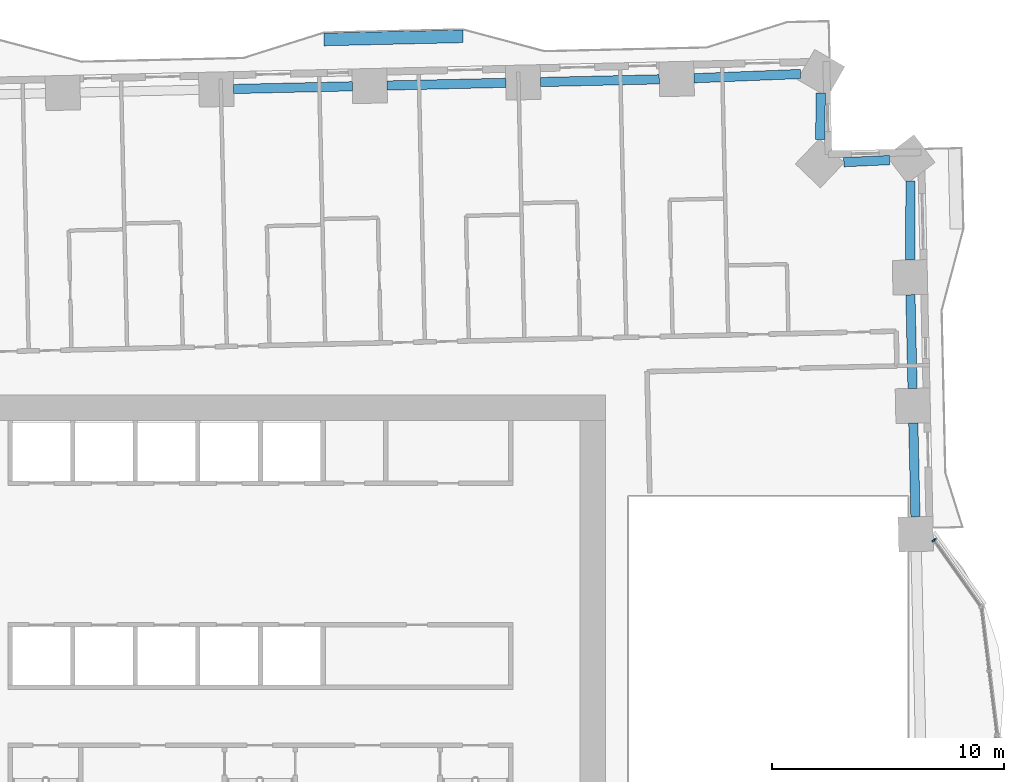
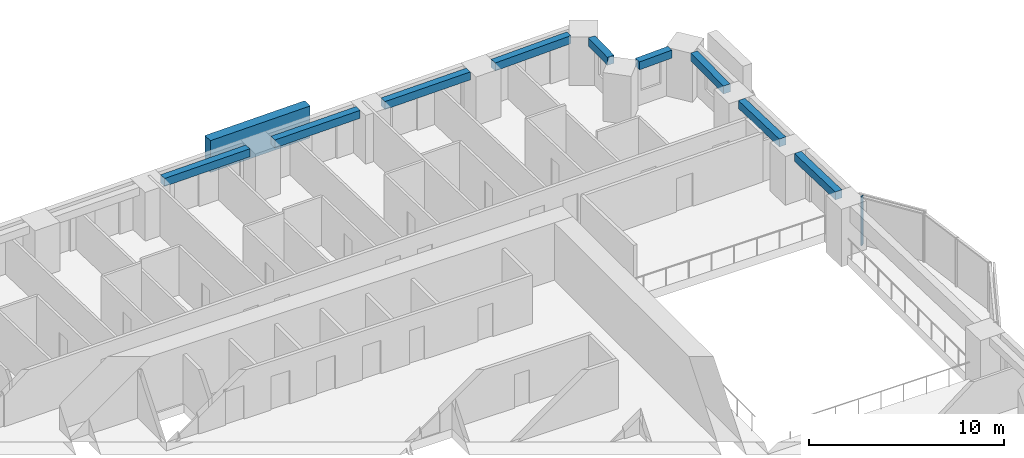
# One storey, part 2 of 16: 9 beams, 2 members, 1 element without a shape of its own.
"""IFC4 building model written with IfcOpenShell, lengths in metres."""

from ifc_helpers import new_model, si_unit, direction, frame, origin, origin_2d, place, context, subcontext, project, spatial, rectangle, extrude, material, material_profile, profile_set, type_object, element, aggregate, save


model = new_model("IFC4")

# Units and contexts
model_context = context("Model", 3, precision=1e-05, world=origin(), true_north=direction((0.0, 1.0)))
body_context = subcontext(model_context, "Body", "Model", "MODEL_VIEW")
ifc_project = project(units=[si_unit("LENGTHUNIT", "METRE"), si_unit("AREAUNIT", "SQUARE_METRE"), si_unit("VOLUMEUNIT", "CUBIC_METRE"), si_unit("PLANEANGLEUNIT", "RADIAN"), si_unit("MASSUNIT", "GRAM", prefix="KILO")], contexts=[model_context])

# Site, building, storey
site_placement = place(None, origin())
site = spatial("IfcSite", under=ifc_project, at=site_placement, CompositionType="ELEMENT")
building_placement = place(site_placement, origin())
building = spatial("IfcBuilding", under=site, at=building_placement, Name="Mangrove Gate Tower", CompositionType="ELEMENT")
storey_placement = place(building_placement, frame((0.0, 0.0, 44.89990234375)))
storey = spatial("IfcBuildingStorey", under=building, at=storey_placement, Name="L10", CompositionType="ELEMENT", Elevation=44.89990234375)

# Curtain wall, member
ifc_material_1 = material(Name="Aluminium and glass curtain wall", Category="aluminium")
curtain_wall_type = type_object("IfcCurtainWallType", Name="Atrium garden-court glazing wall", PredefinedType="NOTDEFINED", material=ifc_material_1)
curtain_wall_placement = place(storey_placement, origin())
curtain_wall = element("IfcCurtainWall", 1, at=curtain_wall_placement, inside=storey, type_object=curtain_wall_type, Name="Atrium garden-court glazing E1f3", PredefinedType="NOTDEFINED")
ifc_material_2 = material(Name="Aluminium alloy 6063-T6", Category="aluminium")
ifc_material_profile_1 = material_profile(ifc_material_2, rectangle(XDim=0.070068359375, YDim=0.199951171875, at=origin_2d()))
ifc_profile_set_1 = profile_set([ifc_material_profile_1], Name="Aluminium alloy 6063-T6")
member_type_1 = type_object("IfcMemberType", Name="Atrium garden-court glazing mullion 70x200", PredefinedType="MULLION", material=ifc_profile_set_1)
member_1_placement = place(storey_placement, frame((29.07177734375, 5.64892578125, 0.0), z_axis=(0.0, 0.0, 1.0), x_axis=(-0.578122631637, 0.815949889877, 0.0)))
member_1 = element("IfcMember", 2, at=member_1_placement, type_object=member_type_1, Name="CWA mullion 2", PredefinedType="MULLION", context=body_context, shape_type="SweptSolid", body=[
    extrude(rectangle(XDim=0.070068359375, YDim=0.199951171875, at=origin_2d()), origin(), (0.0, 0.0, 1.0), 3.050048828125),
])
aggregate(curtain_wall, [member_1])

# Member
ifc_material_3 = material(Name="Planting on aluminium trellis", Category="aluminium")
ifc_material_profile_2 = material_profile(ifc_material_3, rectangle(XDim=0.550048828125, YDim=2.0, at=origin_2d()))
ifc_profile_set_2 = profile_set([ifc_material_profile_2], Name="Planting on aluminium trellis")
member_type_2 = type_object("IfcMemberType", Name="Balcony greenery screen 550x2000", PredefinedType="USERDEFINED", material=ifc_profile_set_2)
member_2_placement = place(storey_placement, frame((2.74609375, 27.256103515625, 1.800048828125), z_axis=(0.999743073592, 0.022666865795, 0.0), x_axis=(-0.022666865795, 0.999743073592, 0.0)))
element("IfcMember", 3, at=member_2_placement, inside=storey, type_object=member_type_2, Name="GREEN SCREEN L10 N0.1", ObjectType="PLANTING", PredefinedType="USERDEFINED", context=body_context, shape_type="SweptSolid", body=[
    extrude(rectangle(XDim=0.550048828125, YDim=2.0, at=origin_2d()), origin(), (0.0, 0.0, 1.0), 5.999267578125),
])

# Beams
ifc_material_4 = material(Name="Concrete C50/60", Category="concrete")
ifc_material_profile_3 = material_profile(ifc_material_4, rectangle(XDim=0.39990234375, YDim=0.5, at=origin_2d()))
ifc_profile_set_3 = profile_set([ifc_material_profile_3], Name="Concrete C50/60")
beam_type = type_object("IfcBeamType", Name="Edge beam RC 400x500 C50/60", PredefinedType="BEAM", material=ifc_profile_set_3)
beam_1_placement = place(storey_placement, frame((28.26904296875, 6.65478515625, 2.800048828125), z_axis=(-0.022713172236, 0.999742022627, 0.0), x_axis=(-0.999742022627, -0.022713172236, 0.0)))
element("IfcBeam", 4, at=beam_1_placement, inside=storey, type_object=beam_type, Name="Edge beam L10 18", PredefinedType="BEAM", context=body_context, shape_type="SweptSolid", body=[
    extrude(rectangle(XDim=0.39990234375, YDim=0.5, at=origin_2d()), origin(), (0.0, 0.0, 1.0), 4.04150390625),
])
beam_2_placement = place(storey_placement, frame((28.143310546875, 12.19482421875, 2.800048828125), z_axis=(-0.022586963022, 0.999744882008, 0.0), x_axis=(-0.999744882008, -0.022586963022, 0.0)))
element("IfcBeam", 5, at=beam_2_placement, inside=storey, type_object=beam_type, Name="Edge beam L10 19", PredefinedType="BEAM", context=body_context, shape_type="SweptSolid", body=[
    extrude(rectangle(XDim=0.39990234375, YDim=0.5, at=origin_2d()), origin(), (0.0, 0.0, 1.0), 4.04248046875),
])
beam_3_placement = place(storey_placement, frame((28.0390625, 17.736328125, 2.800048828125), z_axis=(0.005012109462, 0.9999874393, 0.0), x_axis=(-0.9999874393, 0.005012109462, 0.0)))
element("IfcBeam", 6, at=beam_3_placement, inside=storey, type_object=beam_type, Name="Edge beam L10 20", PredefinedType="BEAM", context=body_context, shape_type="SweptSolid", body=[
    extrude(rectangle(XDim=0.39990234375, YDim=0.5, at=origin_2d()), origin(), (0.0, 0.0, 1.0), 3.40966796875),
])
beam_4_placement = place(storey_placement, frame((27.152099609375, 22.04833984375, 2.800048828125), z_axis=(-0.998943948206, -0.045945493167, 0.0), x_axis=(0.045945493167, -0.998943948206, 0.0)))
element("IfcBeam", 7, at=beam_4_placement, inside=storey, type_object=beam_type, Name="Edge beam L10 21", PredefinedType="BEAM", context=body_context, shape_type="SweptSolid", body=[
    extrude(rectangle(XDim=0.39990234375, YDim=0.5, at=origin_2d()), origin(), (0.0, 0.0, 1.0), 1.976806640625),
])
beam_5_placement = place(storey_placement, frame((24.156005859375, 22.933349609375, 2.800048828125), z_axis=(0.013971904574, 0.999902388177, 0.0), x_axis=(-0.999902388177, 0.013971904574, 0.0)))
element("IfcBeam", 8, at=beam_5_placement, inside=storey, type_object=beam_type, Name="Edge beam L10 22", PredefinedType="BEAM", context=body_context, shape_type="SweptSolid", body=[
    extrude(rectangle(XDim=0.39990234375, YDim=0.5, at=origin_2d()), origin(), (0.0, 0.0, 1.0), 2.009521484375),
])
beam_6_placement = place(storey_placement, frame((23.311279296875, 25.764892578125, 2.800048828125), z_axis=(-0.999201890594, -0.039944734743, 0.0), x_axis=(0.039944734743, -0.999201890594, 0.0)))
element("IfcBeam", 9, at=beam_6_placement, inside=storey, type_object=beam_type, Name="Edge beam L10 23", PredefinedType="BEAM", context=body_context, shape_type="SweptSolid", body=[
    extrude(rectangle(XDim=0.39990234375, YDim=0.5, at=origin_2d()), origin(), (0.0, 0.0, 1.0), 4.602294921875),
])
beam_7_placement = place(storey_placement, frame((17.213134765625, 25.5341796875, 2.800048828125), z_axis=(-0.999739592542, -0.022819883957, 0.0), x_axis=(0.022819883957, -0.999739592542, 0.0)))
element("IfcBeam", 10, at=beam_7_placement, inside=storey, type_object=beam_type, Name="Edge beam L10 24", PredefinedType="BEAM", context=body_context, shape_type="SweptSolid", body=[
    extrude(rectangle(XDim=0.39990234375, YDim=0.5, at=origin_2d()), origin(), (0.0, 0.0, 1.0), 5.12451171875),
])
beam_8_placement = place(storey_placement, frame((10.59033203125, 25.38330078125, 2.800048828125), z_axis=(-0.999742965414, -0.022671636567, 0.0), x_axis=(0.022671636567, -0.999742965414, 0.0)))
element("IfcBeam", 11, at=beam_8_placement, inside=storey, type_object=beam_type, Name="Edge beam L10 25", PredefinedType="BEAM", context=body_context, shape_type="SweptSolid", body=[
    extrude(rectangle(XDim=0.39990234375, YDim=0.5, at=origin_2d()), origin(), (0.0, 0.0, 1.0), 5.125732421875),
])
beam_9_placement = place(storey_placement, frame((3.966064453125, 25.233154296875, 2.800048828125), z_axis=(-0.999743921904, -0.022629419247, 0.0), x_axis=(0.022629419247, -0.999743921904, 0.0)))
element("IfcBeam", 12, at=beam_9_placement, inside=storey, type_object=beam_type, Name="Edge beam L10 26", PredefinedType="BEAM", context=body_context, shape_type="SweptSolid", body=[
    extrude(rectangle(XDim=0.39990234375, YDim=0.5, at=origin_2d()), origin(), (0.0, 0.0, 1.0), 5.12451171875),
])

save(model, "model.ifc")
